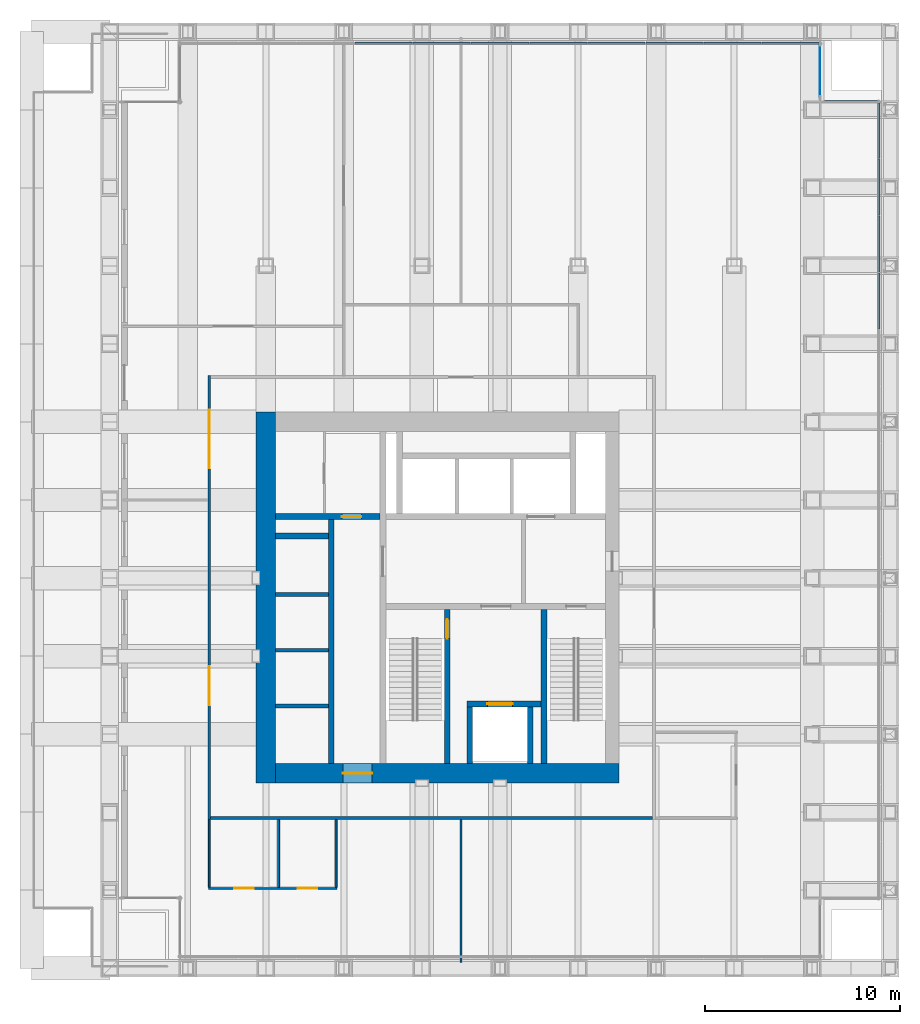
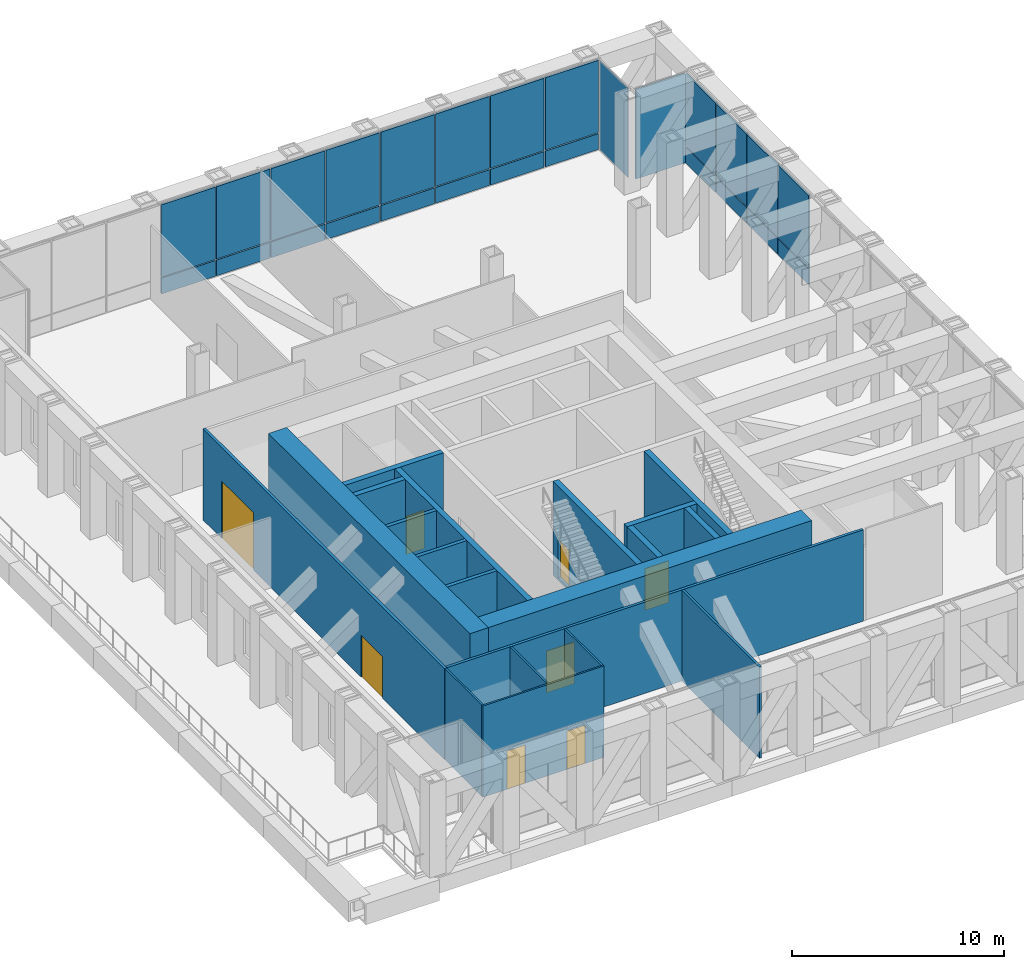
# One storey, part 9 of 12: 26 plates, 20 walls, 8 doors, 8 openings, 4 elements without a shape of their own.
"""IFC4 building model written with IfcOpenShell, lengths in metres."""

from ifc_helpers import new_model, si_unit, direction, frame, frame_2d, origin, origin_2d, place, context, subcontext, project, spatial, rectangle, extrude, material, layer, layer_set, type_object, element, fill, aggregate, save


model = new_model("IFC4")

# Units and contexts
model_context = context("Model", 3, precision=1e-05, world=origin(), true_north=direction((0.0, 1.0)))
body_context = subcontext(model_context, "Body", "Model", "MODEL_VIEW")
ifc_project = project(units=[si_unit("LENGTHUNIT", "METRE"), si_unit("AREAUNIT", "SQUARE_METRE"), si_unit("VOLUMEUNIT", "CUBIC_METRE"), si_unit("PLANEANGLEUNIT", "RADIAN"), si_unit("MASSUNIT", "GRAM", prefix="KILO")], contexts=[model_context])

# Site, building, storey
site_placement = place(None, origin())
site = spatial("IfcSite", under=ifc_project, at=site_placement, CompositionType="ELEMENT")
building_placement = place(site_placement, origin())
building = spatial("IfcBuilding", under=site, at=building_placement, Name="Rimbunsela Tower", CompositionType="ELEMENT")
storey_placement = place(building_placement, frame((0.0, 0.0, 203.800048828125)))
storey = spatial("IfcBuildingStorey", under=building, at=storey_placement, Name="L49", CompositionType="ELEMENT", Elevation=203.800048828125)

# Curtain wall, plate
ifc_material_1 = material(Name="Aluminium curtain wall", Category="aluminium")
curtain_wall_type_1 = type_object("IfcCurtainWallType", Name="Corner glazing", PredefinedType="USERDEFINED", material=ifc_material_1)
curtain_wall_1_placement = place(storey_placement, origin())
curtain_wall_1 = element("IfcCurtainWall", 1, at=curtain_wall_1_placement, inside=storey, type_object=curtain_wall_type_1, Name="Corner glazing L49", ObjectType="CORNER GLAZING", PredefinedType="USERDEFINED")
ifc_material_2 = material(Name="Clear double glazing", Category="glass")
ifc_layer_1 = layer(ifc_material_2, 0.028076171875)
ifc_layer_set_1 = layer_set([ifc_layer_1], Name="Glazed panel clear")
plate_type_1 = type_object("IfcPlateType", Name="Glazed panel clear", PredefinedType="CURTAIN_PANEL", material=ifc_layer_set_1)
plate_1_placement = place(storey_placement, frame((46.39990234375, 53.99755859375, 0.06005859375), z_axis=(0.0, 0.0, 1.0), x_axis=(0.0, 1.0, 0.0)))
plate_1 = element("IfcPlate", 2, at=plate_1_placement, type_object=plate_type_1, Name="CW5 panel 1.1", PredefinedType="CURTAIN_PANEL", context=body_context, shape_type="SweptSolid", body=[
    extrude(rectangle(XDim=2.68505859375, YDim=0.028076171875, at=origin_2d()), origin(), (0.0, 0.0, 1.0), 5.1298828125),
])
aggregate(curtain_wall_1, [plate_1])

ifc_material_3 = material(Name="Aluminium curtain wall", Category="aluminium")
curtain_wall_type_2 = type_object("IfcCurtainWallType", Name="Spandrel wall", PredefinedType="USERDEFINED", material=ifc_material_3)
curtain_wall_2_placement = place(storey_placement, origin())
curtain_wall_2 = element("IfcCurtainWall", 3, at=curtain_wall_2_placement, inside=storey, type_object=curtain_wall_type_2, Name="Spandrel wall L49", ObjectType="SPANDREL WALL", PredefinedType="USERDEFINED")
ifc_material_4 = material(Name="Insulated aluminium spandrel panel", Category="aluminium")
ifc_layer_2 = layer(ifc_material_4, 0.10009765625)
ifc_layer_set_2 = layer_set([ifc_layer_2], Name="Insulated panel 100")
plate_type_2 = type_object("IfcPlateType", Name="Insulated panel 100", PredefinedType="CURTAIN_PANEL", material=ifc_layer_set_2)
plate_2_placement = place(storey_placement, frame((47.99755859375, 52.39990234375, 0.06005859375), z_axis=(0.0, 0.0, 1.0), x_axis=(-1.0, 0.0, 0.0)))
plate_2 = element("IfcPlate", 4, at=plate_2_placement, type_object=plate_type_2, Name="CW7 panel 1.1", PredefinedType="CURTAIN_PANEL", context=body_context, shape_type="SweptSolid", body=[
    extrude(rectangle(XDim=2.68505859375, YDim=0.10009765625, at=origin_2d()), origin(), (0.0, 0.0, 1.0), 5.1298828125),
])
aggregate(curtain_wall_2, [plate_2])

# Curtain wall, plates
ifc_material_5 = material(Name="Aluminium curtain wall", Category="aluminium")
curtain_wall_type_3 = type_object("IfcCurtainWallType", Name="Plant floor louvre wall", PredefinedType="USERDEFINED", material=ifc_material_5)
curtain_wall_3_placement = place(storey_placement, origin())
curtain_wall_3 = element("IfcCurtainWall", 5, at=curtain_wall_3_placement, inside=storey, type_object=curtain_wall_type_3, Name="Plant floor louvre wall L49", ObjectType="PLANT FLOOR LOUVRE WALL", PredefinedType="USERDEFINED")
ifc_material_6 = material(Name="Aluminium louvre blades 100 deep", Category="aluminium")
ifc_layer_3 = layer(ifc_material_6, 0.10009765625)
ifc_layer_set_3 = layer_set([ifc_layer_3], Name="Louvre panel 100")
plate_type_3 = type_object("IfcPlateType", Name="Louvre panel 100", PredefinedType="CURTAIN_PANEL", material=ifc_layer_set_3)
plate_3_placement = place(storey_placement, frame((49.39990234375, 42.199951171875, 0.06005859375), z_axis=(0.0, 0.0, 1.0), x_axis=(0.0, 1.0, 0.0)))
plate_3 = element("IfcPlate", 6, at=plate_3_placement, type_object=plate_type_3, Name="CW3 panel 11.1", PredefinedType="CURTAIN_PANEL", context=body_context, shape_type="SweptSolid", body=[
    extrude(rectangle(XDim=2.854248046875, YDim=0.10009765625, at=origin_2d()), origin(), (0.0, 0.0, 1.0), 0.909912109375),
])
plate_4_placement = place(storey_placement, frame((49.39990234375, 42.199951171875, 1.02978515625), z_axis=(0.0, 0.0, 1.0), x_axis=(0.0, 1.0, 0.0)))
plate_4 = element("IfcPlate", 7, at=plate_4_placement, type_object=plate_type_3, Name="CW3 panel 11.2", PredefinedType="CURTAIN_PANEL", context=body_context, shape_type="SweptSolid", body=[
    extrude(rectangle(XDim=2.854248046875, YDim=0.10009765625, at=origin_2d()), origin(), (0.0, 0.0, 1.0), 4.159912109375),
])
plate_5_placement = place(storey_placement, frame((49.39990234375, 45.1142578125, 0.06005859375), z_axis=(0.0, 0.0, 1.0), x_axis=(0.0, 1.0, 0.0)))
plate_5 = element("IfcPlate", 8, at=plate_5_placement, type_object=plate_type_3, Name="CW3 panel 12.1", PredefinedType="CURTAIN_PANEL", context=body_context, shape_type="SweptSolid", body=[
    extrude(rectangle(XDim=2.854248046875, YDim=0.10009765625, at=origin_2d()), origin(), (0.0, 0.0, 1.0), 0.909912109375),
])
plate_6_placement = place(storey_placement, frame((49.39990234375, 45.1142578125, 1.02978515625), z_axis=(0.0, 0.0, 1.0), x_axis=(0.0, 1.0, 0.0)))
plate_6 = element("IfcPlate", 9, at=plate_6_placement, type_object=plate_type_3, Name="CW3 panel 12.2", PredefinedType="CURTAIN_PANEL", context=body_context, shape_type="SweptSolid", body=[
    extrude(rectangle(XDim=2.854248046875, YDim=0.10009765625, at=origin_2d()), origin(), (0.0, 0.0, 1.0), 4.159912109375),
])
plate_7_placement = place(storey_placement, frame((49.39990234375, 48.028564453125, 0.06005859375), z_axis=(0.0, 0.0, 1.0), x_axis=(0.0, 1.0, 0.0)))
plate_7 = element("IfcPlate", 10, at=plate_7_placement, type_object=plate_type_3, Name="CW3 panel 13.1", PredefinedType="CURTAIN_PANEL", context=body_context, shape_type="SweptSolid", body=[
    extrude(rectangle(XDim=2.854248046875, YDim=0.10009765625, at=origin_2d()), origin(), (0.0, 0.0, 1.0), 0.909912109375),
])
plate_8_placement = place(storey_placement, frame((49.39990234375, 48.028564453125, 1.02978515625), z_axis=(0.0, 0.0, 1.0), x_axis=(0.0, 1.0, 0.0)))
plate_8 = element("IfcPlate", 11, at=plate_8_placement, type_object=plate_type_3, Name="CW3 panel 13.2", PredefinedType="CURTAIN_PANEL", context=body_context, shape_type="SweptSolid", body=[
    extrude(rectangle(XDim=2.854248046875, YDim=0.10009765625, at=origin_2d()), origin(), (0.0, 0.0, 1.0), 4.159912109375),
])
plate_9_placement = place(storey_placement, frame((49.39990234375, 50.927978515625, 0.06005859375), z_axis=(0.0, 0.0, 1.0), x_axis=(0.0, 1.0, 0.0)))
plate_9 = element("IfcPlate", 12, at=plate_9_placement, type_object=plate_type_3, Name="CW3 panel 14.1", PredefinedType="CURTAIN_PANEL", context=body_context, shape_type="SweptSolid", body=[
    extrude(rectangle(XDim=2.82421875, YDim=0.10009765625, at=origin_2d()), origin(), (0.0, 0.0, 1.0), 0.909912109375),
])
plate_10_placement = place(storey_placement, frame((49.39990234375, 50.927978515625, 1.02978515625), z_axis=(0.0, 0.0, 1.0), x_axis=(0.0, 1.0, 0.0)))
plate_10 = element("IfcPlate", 13, at=plate_10_placement, type_object=plate_type_3, Name="CW3 panel 14.2", PredefinedType="CURTAIN_PANEL", context=body_context, shape_type="SweptSolid", body=[
    extrude(rectangle(XDim=2.82421875, YDim=0.10009765625, at=origin_2d()), origin(), (0.0, 0.0, 1.0), 4.159912109375),
])
aggregate(curtain_wall_3, [plate_3, plate_4, plate_5, plate_6, plate_7, plate_8, plate_9, plate_10])

curtain_wall_4_placement = place(storey_placement, origin())
curtain_wall_4 = element("IfcCurtainWall", 14, at=curtain_wall_4_placement, inside=storey, type_object=curtain_wall_type_3, Name="Plant floor louvre wall L49", ObjectType="PLANT FLOOR LOUVRE WALL", PredefinedType="USERDEFINED")
plate_11_placement = place(storey_placement, frame((44.89404296875, 55.39990234375, 0.06005859375), z_axis=(0.0, 0.0, 1.0), x_axis=(-1.0, 0.0, 0.0)))
plate_11 = element("IfcPlate", 15, at=plate_11_placement, type_object=plate_type_3, Name="CW3 panel 1.1", PredefinedType="CURTAIN_PANEL", context=body_context, shape_type="SweptSolid", body=[
    extrude(rectangle(XDim=2.891845703125, YDim=0.10009765625, at=origin_2d()), origin(), (0.0, 0.0, 1.0), 0.909912109375),
])
plate_12_placement = place(storey_placement, frame((44.89404296875, 55.39990234375, 1.02978515625), z_axis=(0.0, 0.0, 1.0), x_axis=(-1.0, 0.0, 0.0)))
plate_12 = element("IfcPlate", 16, at=plate_12_placement, type_object=plate_type_3, Name="CW3 panel 1.2", PredefinedType="CURTAIN_PANEL", context=body_context, shape_type="SweptSolid", body=[
    extrude(rectangle(XDim=2.891845703125, YDim=0.10009765625, at=origin_2d()), origin(), (0.0, 0.0, 1.0), 4.159912109375),
])
plate_13_placement = place(storey_placement, frame((41.92724609375, 55.39990234375, 0.06005859375), z_axis=(0.0, 0.0, 1.0), x_axis=(-1.0, 0.0, 0.0)))
plate_13 = element("IfcPlate", 17, at=plate_13_placement, type_object=plate_type_3, Name="CW3 panel 2.1", PredefinedType="CURTAIN_PANEL", context=body_context, shape_type="SweptSolid", body=[
    extrude(rectangle(XDim=2.921875, YDim=0.10009765625, at=origin_2d()), origin(), (0.0, 0.0, 1.0), 0.909912109375),
])
plate_14_placement = place(storey_placement, frame((41.92724609375, 55.39990234375, 1.02978515625), z_axis=(0.0, 0.0, 1.0), x_axis=(-1.0, 0.0, 0.0)))
plate_14 = element("IfcPlate", 18, at=plate_14_placement, type_object=plate_type_3, Name="CW3 panel 2.2", PredefinedType="CURTAIN_PANEL", context=body_context, shape_type="SweptSolid", body=[
    extrude(rectangle(XDim=2.921875, YDim=0.10009765625, at=origin_2d()), origin(), (0.0, 0.0, 1.0), 4.159912109375),
])
plate_15_placement = place(storey_placement, frame((38.945556640625, 55.39990234375, 0.06005859375), z_axis=(0.0, 0.0, 1.0), x_axis=(-1.0, 0.0, 0.0)))
plate_15 = element("IfcPlate", 19, at=plate_15_placement, type_object=plate_type_3, Name="CW3 panel 3.1", PredefinedType="CURTAIN_PANEL", context=body_context, shape_type="SweptSolid", body=[
    extrude(rectangle(XDim=2.921875, YDim=0.10009765625, at=origin_2d()), origin(), (0.0, 0.0, 1.0), 0.909912109375),
])
plate_16_placement = place(storey_placement, frame((38.945556640625, 55.39990234375, 1.02978515625), z_axis=(0.0, 0.0, 1.0), x_axis=(-1.0, 0.0, 0.0)))
plate_16 = element("IfcPlate", 20, at=plate_16_placement, type_object=plate_type_3, Name="CW3 panel 3.2", PredefinedType="CURTAIN_PANEL", context=body_context, shape_type="SweptSolid", body=[
    extrude(rectangle(XDim=2.921875, YDim=0.10009765625, at=origin_2d()), origin(), (0.0, 0.0, 1.0), 4.159912109375),
])
plate_17_placement = place(storey_placement, frame((35.963623046875, 55.39990234375, 0.06005859375), z_axis=(0.0, 0.0, 1.0), x_axis=(-1.0, 0.0, 0.0)))
plate_17 = element("IfcPlate", 21, at=plate_17_placement, type_object=plate_type_3, Name="CW3 panel 4.1", PredefinedType="CURTAIN_PANEL", context=body_context, shape_type="SweptSolid", body=[
    extrude(rectangle(XDim=2.921875, YDim=0.10009765625, at=origin_2d()), origin(), (0.0, 0.0, 1.0), 0.909912109375),
])
plate_18_placement = place(storey_placement, frame((35.963623046875, 55.39990234375, 1.02978515625), z_axis=(0.0, 0.0, 1.0), x_axis=(-1.0, 0.0, 0.0)))
plate_18 = element("IfcPlate", 22, at=plate_18_placement, type_object=plate_type_3, Name="CW3 panel 4.2", PredefinedType="CURTAIN_PANEL", context=body_context, shape_type="SweptSolid", body=[
    extrude(rectangle(XDim=2.921875, YDim=0.10009765625, at=origin_2d()), origin(), (0.0, 0.0, 1.0), 4.159912109375),
])
plate_19_placement = place(storey_placement, frame((32.98193359375, 55.39990234375, 0.06005859375), z_axis=(0.0, 0.0, 1.0), x_axis=(-1.0, 0.0, 0.0)))
plate_19 = element("IfcPlate", 23, at=plate_19_placement, type_object=plate_type_3, Name="CW3 panel 5.1", PredefinedType="CURTAIN_PANEL", context=body_context, shape_type="SweptSolid", body=[
    extrude(rectangle(XDim=2.921875, YDim=0.10009765625, at=origin_2d()), origin(), (0.0, 0.0, 1.0), 0.909912109375),
])
plate_20_placement = place(storey_placement, frame((32.98193359375, 55.39990234375, 1.02978515625), z_axis=(0.0, 0.0, 1.0), x_axis=(-1.0, 0.0, 0.0)))
plate_20 = element("IfcPlate", 24, at=plate_20_placement, type_object=plate_type_3, Name="CW3 panel 5.2", PredefinedType="CURTAIN_PANEL", context=body_context, shape_type="SweptSolid", body=[
    extrude(rectangle(XDim=2.921875, YDim=0.10009765625, at=origin_2d()), origin(), (0.0, 0.0, 1.0), 4.159912109375),
])
plate_21_placement = place(storey_placement, frame((30.0, 55.39990234375, 0.06005859375), z_axis=(0.0, 0.0, 1.0), x_axis=(-1.0, 0.0, 0.0)))
plate_21 = element("IfcPlate", 25, at=plate_21_placement, type_object=plate_type_3, Name="CW3 panel 6.1", PredefinedType="CURTAIN_PANEL", context=body_context, shape_type="SweptSolid", body=[
    extrude(rectangle(XDim=2.921875, YDim=0.10009765625, at=origin_2d()), origin(), (0.0, 0.0, 1.0), 0.909912109375),
])
plate_22_placement = place(storey_placement, frame((30.0, 55.39990234375, 1.02978515625), z_axis=(0.0, 0.0, 1.0), x_axis=(-1.0, 0.0, 0.0)))
plate_22 = element("IfcPlate", 26, at=plate_22_placement, type_object=plate_type_3, Name="CW3 panel 6.2", PredefinedType="CURTAIN_PANEL", context=body_context, shape_type="SweptSolid", body=[
    extrude(rectangle(XDim=2.921875, YDim=0.10009765625, at=origin_2d()), origin(), (0.0, 0.0, 1.0), 4.159912109375),
])
plate_23_placement = place(storey_placement, frame((27.01806640625, 55.39990234375, 0.06005859375), z_axis=(0.0, 0.0, 1.0), x_axis=(-1.0, 0.0, 0.0)))
plate_23 = element("IfcPlate", 27, at=plate_23_placement, type_object=plate_type_3, Name="CW3 panel 7.1", PredefinedType="CURTAIN_PANEL", context=body_context, shape_type="SweptSolid", body=[
    extrude(rectangle(XDim=2.921875, YDim=0.10009765625, at=origin_2d()), origin(), (0.0, 0.0, 1.0), 0.909912109375),
])
plate_24_placement = place(storey_placement, frame((27.01806640625, 55.39990234375, 1.02978515625), z_axis=(0.0, 0.0, 1.0), x_axis=(-1.0, 0.0, 0.0)))
plate_24 = element("IfcPlate", 28, at=plate_24_placement, type_object=plate_type_3, Name="CW3 panel 7.2", PredefinedType="CURTAIN_PANEL", context=body_context, shape_type="SweptSolid", body=[
    extrude(rectangle(XDim=2.921875, YDim=0.10009765625, at=origin_2d()), origin(), (0.0, 0.0, 1.0), 4.159912109375),
])
plate_25_placement = place(storey_placement, frame((24.036376953125, 55.39990234375, 0.06005859375), z_axis=(0.0, 0.0, 1.0), x_axis=(-1.0, 0.0, 0.0)))
plate_25 = element("IfcPlate", 29, at=plate_25_placement, type_object=plate_type_3, Name="CW3 panel 8.1", PredefinedType="CURTAIN_PANEL", context=body_context, shape_type="SweptSolid", body=[
    extrude(rectangle(XDim=2.921875, YDim=0.10009765625, at=origin_2d()), origin(), (0.0, 0.0, 1.0), 0.909912109375),
])
plate_26_placement = place(storey_placement, frame((24.036376953125, 55.39990234375, 1.02978515625), z_axis=(0.0, 0.0, 1.0), x_axis=(-1.0, 0.0, 0.0)))
plate_26 = element("IfcPlate", 30, at=plate_26_placement, type_object=plate_type_3, Name="CW3 panel 8.2", PredefinedType="CURTAIN_PANEL", context=body_context, shape_type="SweptSolid", body=[
    extrude(rectangle(XDim=2.921875, YDim=0.10009765625, at=origin_2d()), origin(), (0.0, 0.0, 1.0), 4.159912109375),
])
aggregate(curtain_wall_4, [plate_11, plate_12, plate_13, plate_14, plate_15, plate_16, plate_17, plate_18, plate_19, plate_20, plate_21, plate_22, plate_23, plate_24, plate_25, plate_26])

# Wall, opening, door
ifc_material_7 = material(Name="Concrete fc' 80 MPa", Category="concrete")
ifc_layer_4 = layer(ifc_material_7, 0.300048828125)
ifc_layer_set_4 = layer_set([ifc_layer_4], Name="Core internal wall 300")
wall_type_1 = type_object("IfcWallType", Name="Core internal wall 300", PredefinedType="SHEAR", material=ifc_layer_set_4)
wall_1_placement = place(storey_placement, frame((27.300048828125, 18.5, -0.150146484375), z_axis=(0.0, 0.0, 1.0), x_axis=(0.0, 1.0, 0.0)))
wall_1 = element("IfcWall", 31, at=wall_1_placement, inside=storey, type_object=wall_type_1, Name="Stair A enclosure", PredefinedType="SHEAR", context=body_context, shape_type="SweptSolid", body=[
    extrude(rectangle(XDim=7.89990234375, YDim=0.300048828125, at=frame_2d((3.949951171875, 0.0))), origin(), (0.0, 0.0, 1.0), 5.400146484375),
])
opening_1_placement = place(wall_1_placement, frame((6.39990234375, 0.0, 0.14990234375)))
opening_1 = element("IfcOpeningElement", 32, at=opening_1_placement, cuts=wall_1, Name="Opening D01", PredefinedType="OPENING", context=body_context, shape_type="SweptSolid", body=[
    extrude(rectangle(XDim=1.0, YDim=2.199951171875, at=frame_2d((0.5, 1.10009765625))), frame((0.0, 0.159912109375, 0.0), z_axis=(0.0, -1.0, 0.0), x_axis=(1.0, 0.0, 0.0)), (0.0, 0.0, 1.0), 0.320068359375),
])
ifc_material_8 = material(Name="Steel door, fire rated", Category="steel")
door_type_1 = type_object("IfcDoorType", Name="Stair door 1000", OperationType="SINGLE_SWING_RIGHT", PredefinedType="DOOR", material=ifc_material_8)
door_1_placement = place(opening_1_placement, origin())
door_1 = element("IfcDoor", 33, at=door_1_placement, inside=storey, type_object=door_type_1, Name="Stair A door", OperationType="SINGLE_SWING_RIGHT", OverallHeight=2.199951171875, OverallWidth=1.0, PredefinedType="DOOR", context=body_context, shape_type="SweptSolid", body=[
    extrude(rectangle(XDim=1.0, YDim=2.199951171875, at=frame_2d((0.5, 1.10009765625))), frame((0.0, 0.02490234375, 0.0), z_axis=(0.0, -1.0, 0.0), x_axis=(1.0, 0.0, 0.0)), (0.0, 0.0, 1.0), 0.050048828125),
])
fill(opening_1, door_1)

# Walls
wall_2_placement = place(storey_placement, frame((32.25, 18.5, -0.150146484375), z_axis=(0.0, 0.0, 1.0), x_axis=(0.0, 1.0, 0.0)))
element("IfcWall", 34, at=wall_2_placement, inside=storey, type_object=wall_type_1, Name="Stair B enclosure", PredefinedType="SHEAR", context=body_context, shape_type="SweptSolid", body=[
    extrude(rectangle(XDim=7.89990234375, YDim=0.300048828125, at=frame_2d((3.949951171875, 0.0))), origin(), (0.0, 0.0, 1.0), 5.400146484375),
])
for number, where, z_axis, x_axis, name in (
    (35, (28.449951171875, 18.5, -0.150146484375), (0.0, 0.0, 1.0), (0.0, 1.0, 0.0), "Firefighting lift shaft west"),
    (36, (31.550048828125, 18.5, -0.150146484375), (0.0, 0.0, 1.0), (0.0, 1.0, 0.0), "Firefighting lift shaft east"),
):
    element("IfcWall", number, at=place(storey_placement, frame(where, z_axis=z_axis, x_axis=x_axis)), inside=storey, type_object=wall_type_1, Name=name, PredefinedType="SHEAR", context=body_context, shape_type="SweptSolid", body=[
        extrude(rectangle(XDim=2.89990234375, YDim=0.300048828125, at=frame_2d((1.449951171875, 0.0))), origin(), (0.0, 0.0, 1.0), 5.400146484375),
    ])

# Wall, opening, door
wall_3_placement = place(storey_placement, frame((28.300048828125, 21.550048828125, -0.150146484375), z_axis=(0.0, 0.0, 1.0), x_axis=(1.0, 0.0, 0.0)))
wall_3 = element("IfcWall", 37, at=wall_3_placement, inside=storey, type_object=wall_type_1, Name="Firefighting lift shaft front", PredefinedType="SHEAR", context=body_context, shape_type="SweptSolid", body=[
    extrude(rectangle(XDim=3.800048828125, YDim=0.300048828125, at=frame_2d((1.89990234375, 0.0))), origin(), (0.0, 0.0, 1.0), 5.400146484375),
])
opening_2_placement = place(wall_3_placement, frame((1.050048828125, 0.0, 0.14990234375)))
opening_2 = element("IfcOpeningElement", 38, at=opening_2_placement, cuts=wall_3, Name="Opening LD2", PredefinedType="OPENING", context=body_context, shape_type="SweptSolid", body=[
    extrude(rectangle(XDim=1.300048828125, YDim=2.39990234375, at=frame_2d((0.64990234375, 1.199951171875))), frame((0.0, 0.159912109375, 0.0), z_axis=(0.0, -1.0, 0.0), x_axis=(1.0, 0.0, 0.0)), (0.0, 0.0, 1.0), 0.320068359375),
])
ifc_material_9 = material(Name="Steel door, fire rated", Category="steel")
door_type_2 = type_object("IfcDoorType", Name="Lift landing door 1300", OperationType="DOUBLE_DOOR_SLIDING", PredefinedType="DOOR", material=ifc_material_9)
door_2_placement = place(opening_2_placement, origin())
door_2 = element("IfcDoor", 39, at=door_2_placement, inside=storey, type_object=door_type_2, Name="Lift landing door FL1", OperationType="DOUBLE_DOOR_SLIDING", OverallHeight=2.39990234375, OverallWidth=1.300048828125, PredefinedType="DOOR", context=body_context, shape_type="SweptSolid", body=[
    extrude(rectangle(XDim=1.300048828125, YDim=2.39990234375, at=frame_2d((0.64990234375, 1.199951171875))), frame((0.0, 0.02490234375, 0.0), z_axis=(0.0, -1.0, 0.0), x_axis=(1.0, 0.0, 0.0)), (0.0, 0.0, 1.0), 0.050048828125),
])
fill(opening_2, door_2)

# Wall
wall_4_placement = place(storey_placement, frame((21.35009765625, 18.5, -0.150146484375), z_axis=(0.0, 0.0, 1.0), x_axis=(0.0, 1.0, 0.0)))
element("IfcWall", 40, at=wall_4_placement, inside=storey, type_object=wall_type_1, Name="Lift shaft front west", PredefinedType="SHEAR", context=body_context, shape_type="SweptSolid", body=[
    extrude(rectangle(XDim=12.5, YDim=0.300048828125, at=frame_2d((6.25, 0.0))), origin(), (0.0, 0.0, 1.0), 5.400146484375),
])

# Wall, opening, door
wall_5_placement = place(storey_placement, frame((18.5, 31.14990234375, -0.150146484375), z_axis=(0.0, 0.0, 1.0), x_axis=(1.0, 0.0, 0.0)))
wall_5 = element("IfcWall", 41, at=wall_5_placement, inside=storey, type_object=wall_type_1, Name="Store wall", PredefinedType="SHEAR", context=body_context, shape_type="SweptSolid", body=[
    extrude(rectangle(XDim=5.35009765625, YDim=0.300048828125, at=frame_2d((2.675048828125, 0.0))), origin(), (0.0, 0.0, 1.0), 5.400146484375),
])
opening_3_placement = place(wall_5_placement, frame((3.39990234375, 0.0, 0.14990234375)))
opening_3 = element("IfcOpeningElement", 42, at=opening_3_placement, cuts=wall_5, Name="Opening D19", PredefinedType="OPENING", context=body_context, shape_type="SweptSolid", body=[
    extrude(rectangle(XDim=1.0, YDim=2.199951171875, at=frame_2d((0.5, 1.10009765625))), frame((0.0, 0.159912109375, 0.0), z_axis=(0.0, -1.0, 0.0), x_axis=(1.0, 0.0, 0.0)), (0.0, 0.0, 1.0), 0.320068359375),
])
ifc_material_10 = material(Name="Steel door, fire rated", Category="steel")
door_type_3 = type_object("IfcDoorType", Name="Service door 1000 fire rated", OperationType="SINGLE_SWING_LEFT", PredefinedType="DOOR", material=ifc_material_10)
door_3_placement = place(opening_3_placement, origin())
door_3 = element("IfcDoor", 43, at=door_3_placement, inside=storey, type_object=door_type_3, Name="IT room door", OperationType="SINGLE_SWING_LEFT", OverallHeight=2.199951171875, OverallWidth=1.0, PredefinedType="DOOR", context=body_context, shape_type="SweptSolid", body=[
    extrude(rectangle(XDim=1.0, YDim=2.199951171875, at=frame_2d((0.5, 1.10009765625))), frame((0.0, 0.02490234375, 0.0), z_axis=(0.0, -1.0, 0.0), x_axis=(1.0, 0.0, 0.0)), (0.0, 0.0, 1.0), 0.050048828125),
])
fill(opening_3, door_3)

# Walls
wall_6_placement = place(storey_placement, frame((18.5, 30.14990234375, -0.150146484375), z_axis=(0.0, 0.0, 1.0), x_axis=(1.0, 0.0, 0.0)))
element("IfcWall", 44, at=wall_6_placement, inside=storey, type_object=wall_type_1, Name="Lift shaft rear west", PredefinedType="SHEAR", context=body_context, shape_type="SweptSolid", body=[
    extrude(rectangle(XDim=2.699951171875, YDim=0.300048828125, at=frame_2d((1.35009765625, 0.0))), origin(), (0.0, 0.0, 1.0), 5.400146484375),
])
ifc_material_11 = material(Name="Concrete fc' 80 MPa", Category="concrete")
ifc_layer_5 = layer(ifc_material_11, 1.0)
ifc_layer_set_5 = layer_set([ifc_layer_5], Name="Core wall 1000")
wall_type_2 = type_object("IfcWallType", Name="Core wall 1000", PredefinedType="SHEAR", material=ifc_layer_set_5)
wall_7_placement = place(storey_placement, frame((18.0, 17.5, -0.150146484375), z_axis=(0.0, 0.0, 1.0), x_axis=(0.0, 1.0, 0.0)))
element("IfcWall", 45, at=wall_7_placement, inside=storey, type_object=wall_type_2, Name="Core wall west", PredefinedType="SHEAR", context=body_context, shape_type="SweptSolid", body=[
    extrude(rectangle(XDim=19.0, YDim=1.0, at=frame_2d((9.5, 0.0))), origin(), (0.0, 0.0, 1.0), 5.400146484375),
])

# Wall, opening, door
wall_8_placement = place(storey_placement, frame((18.5, 18.0, -0.150146484375), z_axis=(0.0, 0.0, 1.0), x_axis=(1.0, 0.0, 0.0)))
wall_8 = element("IfcWall", 46, at=wall_8_placement, inside=storey, type_object=wall_type_2, Name="Core wall south", PredefinedType="SHEAR", context=body_context, shape_type="SweptSolid", body=[
    extrude(rectangle(XDim=17.60009765625, YDim=1.0, at=frame_2d((8.800048828125, 0.0))), origin(), (0.0, 0.0, 1.0), 5.400146484375),
])
opening_4_placement = place(wall_8_placement, frame((3.449951171875, 0.0, 0.14990234375)))
opening_4 = element("IfcOpeningElement", 47, at=opening_4_placement, cuts=wall_8, Name="Opening D03", PredefinedType="OPENING", context=body_context, shape_type="SweptSolid", body=[
    extrude(rectangle(XDim=1.5, YDim=2.39990234375, at=frame_2d((0.75, 1.199951171875))), frame((0.0, 0.510009765625, 0.0), z_axis=(0.0, -1.0, 0.0), x_axis=(1.0, 0.0, 0.0)), (0.0, 0.0, 1.0), 1.02001953125),
])
ifc_material_12 = material(Name="Steel door, fire rated", Category="steel")
door_type_4 = type_object("IfcDoorType", Name="Core lobby door 1500", OperationType="DOUBLE_DOOR_DOUBLE_SWING", PredefinedType="DOOR", material=ifc_material_12)
door_4_placement = place(opening_4_placement, origin())
door_4 = element("IfcDoor", 48, at=door_4_placement, inside=storey, type_object=door_type_4, Name="Core door south", OperationType="DOUBLE_DOOR_DOUBLE_SWING", OverallHeight=2.39990234375, OverallWidth=1.5, PredefinedType="DOOR", context=body_context, shape_type="SweptSolid", body=[
    extrude(rectangle(XDim=1.5, YDim=2.39990234375, at=frame_2d((0.75, 1.199951171875))), frame((0.0, 0.02490234375, 0.0), z_axis=(0.0, -1.0, 0.0), x_axis=(1.0, 0.0, 0.0)), (0.0, 0.0, 1.0), 0.050048828125),
])
fill(opening_4, door_4)

# Walls
ifc_material_13 = material(Name="Concrete blockwork", Category="masonry")
ifc_layer_6 = layer(ifc_material_13, 0.199951171875)
ifc_layer_set_6 = layer_set([ifc_layer_6], Name="Lift shaft wall 200")
wall_type_3 = type_object("IfcWallType", Name="Lift shaft wall 200", PredefinedType="SOLIDWALL", material=ifc_layer_set_6)
for number, where, z_axis, x_axis, name in (
    (49, (18.5, 21.449951171875, 0.0), (0.0, 0.0, 1.0), (1.0, 0.0, 0.0), "Lift shaft separation"),
    (50, (18.5, 24.300048828125, 0.0), (0.0, 0.0, 1.0), (1.0, 0.0, 0.0), "Lift shaft separation"),
    (51, (18.5, 27.14990234375, 0.0), (0.0, 0.0, 1.0), (1.0, 0.0, 0.0), "Lift shaft separation"),
):
    element("IfcWall", number, at=place(storey_placement, frame(where, z_axis=z_axis, x_axis=x_axis)), inside=storey, type_object=wall_type_3, Name=name, PredefinedType="SOLIDWALL", context=body_context, shape_type="SweptSolid", body=[
        extrude(rectangle(XDim=2.699951171875, YDim=0.199951171875, at=frame_2d((1.35009765625, 0.0))), origin(), (0.0, 0.0, 1.0), 5.25),
    ])

# Wall, openings, doors
ifc_material_14 = material(Name="Gypsum board on steel studs", Category="steel")
ifc_layer_7 = layer(ifc_material_14, 0.10009765625)
ifc_layer_set_7 = layer_set([ifc_layer_7], Name="Office partition 100")
wall_type_4 = type_object("IfcWallType", Name="Office partition 100", PredefinedType="PARTITIONING", material=ifc_layer_set_7)
wall_9_placement = place(storey_placement, frame((15.050048828125, 12.10009765625, 0.0), z_axis=(0.0, 0.0, 1.0), x_axis=(1.0, 0.0, 0.0)))
wall_9 = element("IfcWall", 52, at=wall_9_placement, inside=storey, type_object=wall_type_4, Name="Office partition", PredefinedType="PARTITIONING", context=body_context, shape_type="SweptSolid", body=[
    extrude(rectangle(XDim=6.599853515625, YDim=0.10009765625, at=frame_2d((3.2998046875, 0.0))), origin(), (0.0, 0.0, 1.0), 5.25),
])
opening_5_placement = place(wall_9_placement, frame((1.324951171875, 0.0, 0.0)))
opening_5 = element("IfcOpeningElement", 53, at=opening_5_placement, cuts=wall_9, Name="Opening D16", PredefinedType="OPENING", context=body_context, shape_type="SweptSolid", body=[
    extrude(rectangle(XDim=1.0, YDim=2.199951171875, at=frame_2d((0.5, 1.10009765625))), frame((0.0, 0.06005859375, 0.0), z_axis=(0.0, -1.0, 0.0), x_axis=(1.0, 0.0, 0.0)), (0.0, 0.0, 1.0), 0.1201171875),
])
opening_6_placement = place(wall_9_placement, frame((4.574951171875, 0.0, 0.0)))
opening_6 = element("IfcOpeningElement", 54, at=opening_6_placement, cuts=wall_9, Name="Opening D16", PredefinedType="OPENING", context=body_context, shape_type="SweptSolid", body=[
    extrude(rectangle(XDim=1.0, YDim=2.199951171875, at=frame_2d((0.5, 1.10009765625))), frame((0.0, 0.06005859375, 0.0), z_axis=(0.0, -1.0, 0.0), x_axis=(1.0, 0.0, 0.0)), (0.0, 0.0, 1.0), 0.1201171875),
])
ifc_material_15 = material(Name="Timber door", Category="wood")
door_type_5 = type_object("IfcDoorType", Name="Office door 1000", OperationType="SINGLE_SWING_LEFT", PredefinedType="DOOR", material=ifc_material_15)
door_5_placement = place(opening_5_placement, origin())
door_5 = element("IfcDoor", 55, at=door_5_placement, inside=storey, type_object=door_type_5, Name="Office door", OperationType="SINGLE_SWING_LEFT", OverallHeight=2.199951171875, OverallWidth=1.0, PredefinedType="DOOR", context=body_context, shape_type="SweptSolid", body=[
    extrude(rectangle(XDim=1.0, YDim=2.199951171875, at=frame_2d((0.5, 1.10009765625))), frame((0.0, 0.02490234375, 0.0), z_axis=(0.0, -1.0, 0.0), x_axis=(1.0, 0.0, 0.0)), (0.0, 0.0, 1.0), 0.050048828125),
])
fill(opening_5, door_5)
door_6_placement = place(opening_6_placement, origin())
door_6 = element("IfcDoor", 56, at=door_6_placement, inside=storey, type_object=door_type_5, Name="Office door", OperationType="SINGLE_SWING_LEFT", OverallHeight=2.199951171875, OverallWidth=1.0, PredefinedType="DOOR", context=body_context, shape_type="SweptSolid", body=[
    extrude(rectangle(XDim=1.0, YDim=2.199951171875, at=frame_2d((0.5, 1.10009765625))), frame((0.0, 0.02490234375, 0.0), z_axis=(0.0, -1.0, 0.0), x_axis=(1.0, 0.0, 0.0)), (0.0, 0.0, 1.0), 0.050048828125),
])
fill(opening_6, door_6)

# Walls
for number, where, z_axis, x_axis, name in (
    (57, (15.10009765625, 12.14990234375, 0.0), (0.0, 0.0, 1.0), (0.0, 1.0, 0.0), "Office partition"),
    (58, (18.64990234375, 12.14990234375, 0.0), (0.0, 0.0, 1.0), (0.0, 1.0, 0.0), "Office partition"),
    (59, (21.60009765625, 12.14990234375, 0.0), (0.0, 0.0, 1.0), (0.0, 1.0, 0.0), "Office partition"),
):
    element("IfcWall", number, at=place(storey_placement, frame(where, z_axis=z_axis, x_axis=x_axis)), inside=storey, type_object=wall_type_4, Name=name, PredefinedType="PARTITIONING", context=body_context, shape_type="SweptSolid", body=[
        extrude(rectangle(XDim=3.47509765625, YDim=0.10009765625, at=frame_2d((1.737548828125, 0.0))), origin(), (0.0, 0.0, 1.0), 5.25),
    ])

# Wall, openings, doors
ifc_material_16 = material(Name="Fire-rated gypsum board on steel studs, EI 60", Category="steel")
ifc_layer_8 = layer(ifc_material_16, 0.14990234375)
ifc_layer_set_8 = layer_set([ifc_layer_8], Name="Rated corridor wall 150")
wall_type_5 = type_object("IfcWallType", Name="Rated corridor wall 150", PredefinedType="PARTITIONING", material=ifc_layer_set_8)
wall_10_placement = place(storey_placement, frame((15.10009765625, 15.625, 0.0), z_axis=(0.0, 0.0, 1.0), x_axis=(0.0, 1.0, 0.0)))
wall_10 = element("IfcWall", 60, at=wall_10_placement, inside=storey, type_object=wall_type_5, Name="Corridor wall west", PredefinedType="PARTITIONING", context=body_context, shape_type="SweptSolid", body=[
    extrude(rectangle(XDim=22.75, YDim=0.14990234375, at=frame_2d((11.375, 0.0))), origin(), (0.0, 0.0, 1.0), 5.25),
])
opening_7_placement = place(wall_10_placement, frame((5.84912109375, 0.0, 0.0)))
opening_7 = element("IfcOpeningElement", 61, at=opening_7_placement, cuts=wall_10, Name="Opening D08", PredefinedType="OPENING", context=body_context, shape_type="SweptSolid", body=[
    extrude(rectangle(XDim=2.0, YDim=2.39990234375, at=frame_2d((1.0, 1.199951171875))), frame((0.0, 0.0849609375, 0.0), z_axis=(0.0, -1.0, 0.0), x_axis=(1.0, 0.0, 0.0)), (0.0, 0.0, 1.0), 0.169921875),
])
opening_8_placement = place(wall_10_placement, frame((18.0, 0.0, 0.0)))
opening_8 = element("IfcOpeningElement", 62, at=opening_8_placement, cuts=wall_10, Name="Opening D11", PredefinedType="OPENING", context=body_context, shape_type="SweptSolid", body=[
    extrude(rectangle(XDim=3.0, YDim=3.300048828125, at=frame_2d((1.5, 1.64990234375))), frame((0.0, 0.0849609375, 0.0), z_axis=(0.0, -1.0, 0.0), x_axis=(1.0, 0.0, 0.0)), (0.0, 0.0, 1.0), 0.169921875),
])
ifc_material_17 = material(Name="Steel door, fire rated", Category="steel")
door_type_6 = type_object("IfcDoorType", Name="Plant equipment door 3000", OperationType="DOUBLE_DOOR_DOUBLE_SWING", PredefinedType="DOOR", material=ifc_material_17)
door_7_placement = place(opening_8_placement, origin())
door_7 = element("IfcDoor", 63, at=door_7_placement, inside=storey, type_object=door_type_6, Name="Plant room door", OperationType="DOUBLE_DOOR_DOUBLE_SWING", OverallHeight=3.300048828125, OverallWidth=3.0, PredefinedType="DOOR", context=body_context, shape_type="SweptSolid", body=[
    extrude(rectangle(XDim=3.0, YDim=3.300048828125, at=frame_2d((1.5, 1.64990234375))), frame((0.0, 0.02490234375, 0.0), z_axis=(0.0, -1.0, 0.0), x_axis=(1.0, 0.0, 0.0)), (0.0, 0.0, 1.0), 0.050048828125),
])
fill(opening_8, door_7)
ifc_material_18 = material(Name="Steel door, fire rated", Category="steel")
door_type_7 = type_object("IfcDoorType", Name="Plant room door 2000", OperationType="DOUBLE_DOOR_DOUBLE_SWING", PredefinedType="DOOR", material=ifc_material_18)
door_8_placement = place(opening_7_placement, origin())
door_8 = element("IfcDoor", 64, at=door_8_placement, inside=storey, type_object=door_type_7, Name="Refuge area door", OperationType="DOUBLE_DOOR_DOUBLE_SWING", OverallHeight=2.39990234375, OverallWidth=2.0, PredefinedType="DOOR", context=body_context, shape_type="SweptSolid", body=[
    extrude(rectangle(XDim=2.0, YDim=2.39990234375, at=frame_2d((1.0, 1.199951171875))), frame((0.0, 0.02490234375, 0.0), z_axis=(0.0, -1.0, 0.0), x_axis=(1.0, 0.0, 0.0)), (0.0, 0.0, 1.0), 0.050048828125),
])
fill(opening_7, door_8)

# Walls
wall_11_placement = place(storey_placement, frame((15.175048828125, 15.699951171875, 0.0), z_axis=(0.0, 0.0, 1.0), x_axis=(1.0, 0.0, 0.0)))
element("IfcWall", 65, at=wall_11_placement, inside=storey, type_object=wall_type_5, Name="Corridor wall south", PredefinedType="PARTITIONING", context=body_context, shape_type="SweptSolid", body=[
    extrude(rectangle(XDim=22.64990234375, YDim=0.14990234375, at=frame_2d((11.324951171875, 0.0))), origin(), (0.0, 0.0, 1.0), 5.25),
])
ifc_material_19 = material(Name="Gypsum board on steel studs", Category="steel")
ifc_layer_9 = layer(ifc_material_19, 0.1201171875)
ifc_layer_set_9 = layer_set([ifc_layer_9], Name="Tenancy partition 120")
wall_type_6 = type_object("IfcWallType", Name="Tenancy partition 120", PredefinedType="PARTITIONING", material=ifc_layer_set_9)
wall_12_placement = place(storey_placement, frame((28.0, 8.300048828125, 0.0), z_axis=(0.0, 0.0, 1.0), x_axis=(0.0, 1.0, 0.0)))
element("IfcWall", 66, at=wall_12_placement, inside=storey, type_object=wall_type_6, Name="Tenancy partition south", PredefinedType="PARTITIONING", context=body_context, shape_type="SweptSolid", body=[
    extrude(rectangle(XDim=7.324951171875, YDim=0.1201171875, at=frame_2d((3.66259765625, 0.0))), origin(), (0.0, 0.0, 1.0), 5.25),
])

save(model, "model.ifc")
